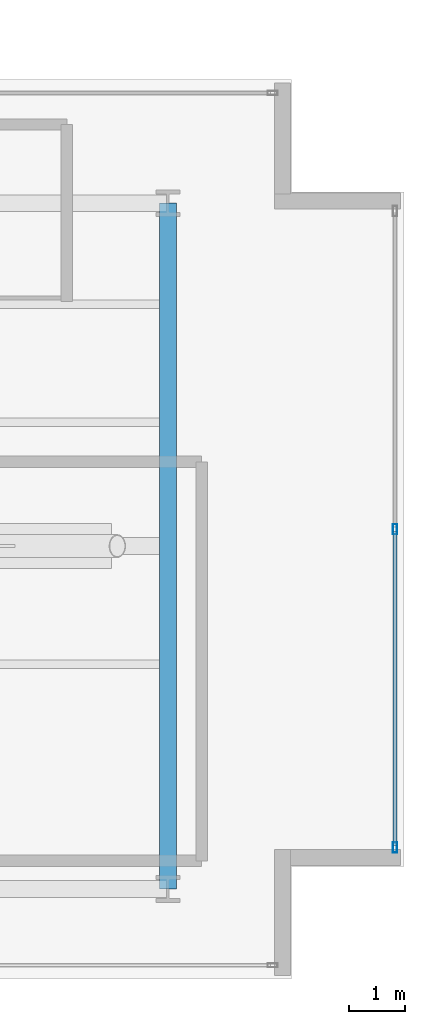
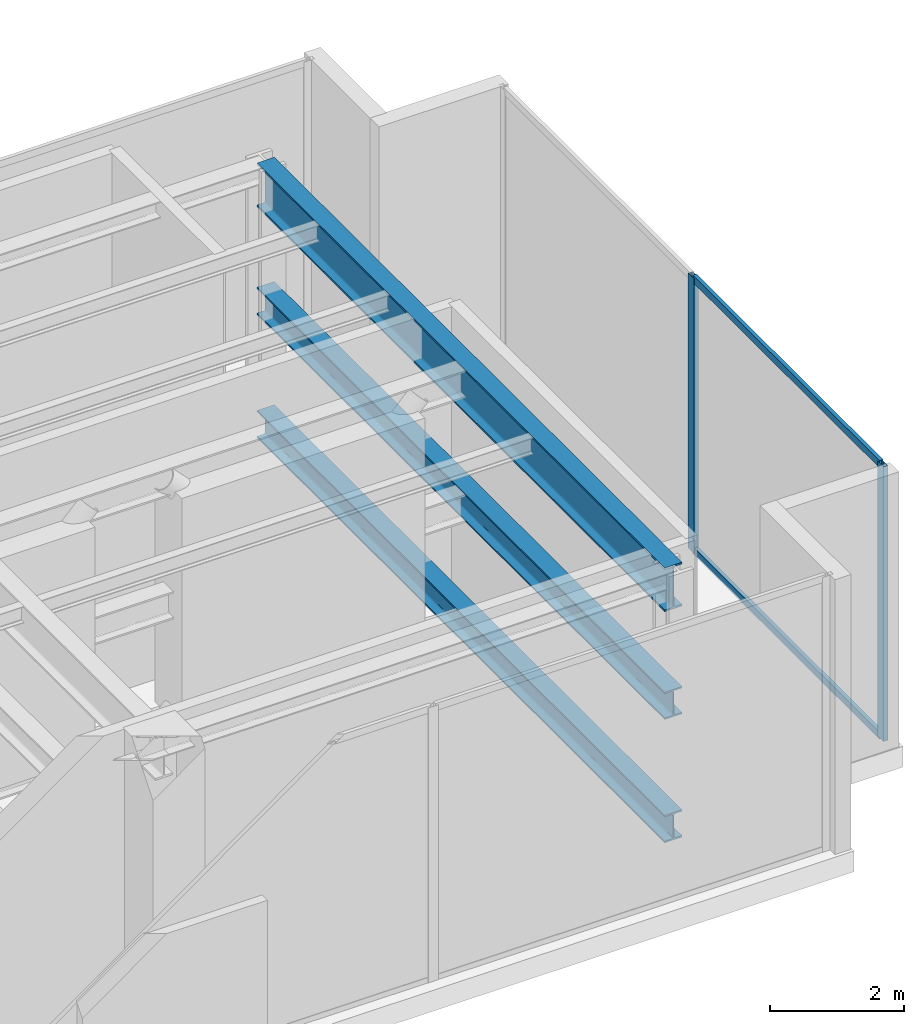
# One storey, part 17 of 29: 4 members, 3 beams, 1 element without a shape of its own.
"""IFC4 building model written with IfcOpenShell, lengths in metres."""

import ifcopenshell
import ifcopenshell.guid

model = None  # the IFC model being written
_history = None  # IfcOwnerHistory: only IFC2X3 demands one
_inside = {}  # id of a spatial element -> (the spatial element, [elements in it])
_under = {}  # id of a project, library or spatial element -> (it, [spatial elements below it])
_declared = {}  # id of a project -> (the project, [libraries it declares])
_typed = {}  # id of a type object -> (the type object, [elements of that type])
_made_of = {}  # id of a material, layer set ... -> (it, [elements and type objects made of it])


def new_model(schema):
    """Start an empty IFC model of exactly this schema.

    Asked for "IFC4X3", IfcOpenShell would pick the latest addendum, in which some entities
    have other attributes; the version numbers below select the first issue.
    IFC2X3 requires an IfcOwnerHistory on every rooted entity: one is made here for all.
    """
    global model, _history
    if schema == "IFC4X3":
        model = ifcopenshell.file(schema_version=(4, 3, 0, 0))
    else:
        model = ifcopenshell.file(schema=schema)
    _inside.clear()
    _under.clear()
    _declared.clear()
    _typed.clear()
    _made_of.clear()
    _history = None
    if model.schema == "IFC2X3":
        org = make("IfcOrganization", Name="unknown")
        user = make(
            "IfcPersonAndOrganization",
            ThePerson=make("IfcPerson", FamilyName="unknown"),
            TheOrganization=org,
        )
        app = make(
            "IfcApplication",
            ApplicationDeveloper=org,
            Version="unknown",
            ApplicationFullName="unknown",
            ApplicationIdentifier="unknown",
        )
        _history = make(
            "IfcOwnerHistory",
            OwningUser=user,
            OwningApplication=app,
            ChangeAction="ADDED",
            CreationDate=0,
        )
    return model


def make(cls, **values):
    """One entity of the class cls with the attributes given. An attribute that is None is left unset."""
    return model.create_entity(
        cls, **{name: value for name, value in values.items() if value is not None}
    )


def rooted(cls, **values):
    """An entity with a GlobalId (a new one), such as an element, a storey or a relation."""
    return make(cls, GlobalId=ifcopenshell.guid.new(), OwnerHistory=_history, **values)


def si_unit(unit_type, name, prefix=None):
    """IfcSIUnit, for example si_unit("LENGTHUNIT", "METRE", prefix="MILLI")."""
    return make("IfcSIUnit", UnitType=unit_type, Prefix=prefix, Name=name)


def assignment(units):
    """IfcUnitAssignment: the units of a project."""
    return None if units is None else make("IfcUnitAssignment", Units=units)


def point(xyz):
    """IfcCartesianPoint."""
    return None if xyz is None else make("IfcCartesianPoint", Coordinates=xyz)


def direction(xyz):
    """IfcDirection."""
    return None if xyz is None else make("IfcDirection", DirectionRatios=xyz)


def frame(location, z_axis=None, x_axis=None):
    """IfcAxis2Placement3D, a coordinate frame: its origin and axes. An axis left out is left unset."""
    return make(
        "IfcAxis2Placement3D",
        Location=point(location),
        Axis=direction(z_axis),
        RefDirection=direction(x_axis),
    )


def frame_2d(location, x_axis=None):
    """IfcAxis2Placement2D, a coordinate frame in the plane: its origin and x axis."""
    return make(
        "IfcAxis2Placement2D", Location=point(location), RefDirection=direction(x_axis)
    )


def origin():
    """The frame at (0, 0, 0) with its axes left unset."""
    return frame((0.0, 0.0, 0.0))


def origin_with_axes():
    """The frame at (0, 0, 0) with the z axis (0, 0, 1) and the x axis (1, 0, 0) written out."""
    return frame((0.0, 0.0, 0.0), z_axis=(0.0, 0.0, 1.0), x_axis=(1.0, 0.0, 0.0))


def origin_2d():
    """The frame at (0, 0) in the plane with its x axis left unset."""
    return frame_2d((0.0, 0.0))


def place(relative_to, where):
    """IfcLocalPlacement: puts the frame where relative to a parent placement (None: the world)."""
    return make(
        "IfcLocalPlacement", PlacementRelTo=relative_to, RelativePlacement=where
    )


def context(
    kind, dimensions, precision=None, world=None, true_north=None, identifier=None
):
    """IfcGeometricRepresentationContext, for example the 3D "Model" context."""
    return make(
        "IfcGeometricRepresentationContext",
        ContextIdentifier=identifier,
        ContextType=kind,
        CoordinateSpaceDimension=dimensions,
        Precision=precision,
        WorldCoordinateSystem=world,
        TrueNorth=true_north,
    )


def subcontext(parent, identifier, kind, view, scale=None):
    """IfcGeometricRepresentationSubContext, for example "Body" below "Model"."""
    return make(
        "IfcGeometricRepresentationSubContext",
        ContextIdentifier=identifier,
        ContextType=kind,
        ParentContext=parent,
        TargetScale=scale,
        TargetView=view,
    )


def project(units=None, contexts=None):
    """IfcProject with its units and contexts."""
    return rooted(
        "IfcProject",
        Name="project",
        RepresentationContexts=contexts,
        UnitsInContext=assignment(units),
    )


def spatial(cls, under=None, at=None, **own):
    """A site, building, storey or space (cls), placed at a placement, below another one or the project."""
    s = rooted(cls, ObjectPlacement=at, **own)
    if under is not None:
        _under.setdefault(under.id(), (under, []))[1].append(s)
    return s


def profile(cls, at=None, kind="AREA", **sizes):
    """A parametric profile (cls). Its sizes go by their IFC names, for example OverallWidth=200.0."""
    return make(cls, ProfileType=kind, Position=at, **sizes)


def hollow_rectangle(**sizes):
    """IfcRectangleHollowProfileDef."""
    return profile("IfcRectangleHollowProfileDef", **sizes)


def i_section(**sizes):
    """IfcIShapeProfileDef."""
    return profile("IfcIShapeProfileDef", **sizes)


def extrude(swept, where, along, depth):
    """IfcExtrudedAreaSolid: the profile swept, set in the frame where, extruded along a direction by depth."""
    return make(
        "IfcExtrudedAreaSolid",
        SweptArea=swept,
        Position=where,
        ExtrudedDirection=direction(along),
        Depth=depth,
    )


def shape(context_of_items, identifier, shape_type, items):
    """IfcShapeRepresentation: the items that make up one representation, for example the "Body"."""
    return make(
        "IfcShapeRepresentation",
        ContextOfItems=context_of_items,
        RepresentationIdentifier=identifier,
        RepresentationType=shape_type,
        Items=items,
    )


def source(mapping_origin, context_of_items, identifier, shape_type, items):
    """IfcRepresentationMap: a shape defined once, which mapped items show again and again."""
    return make(
        "IfcRepresentationMap",
        MappingOrigin=mapping_origin,
        MappedRepresentation=shape(context_of_items, identifier, shape_type, items),
    )


def transform(
    local_origin,
    x_axis=None,
    y_axis=None,
    z_axis=None,
    scale=None,
    scale2=None,
    scale3=None,
    uniform=True,
):
    """IfcCartesianTransformationOperator3D, or its non-uniform kind. x_axis, y_axis, z_axis: its Axis1, 2, 3."""
    if uniform:
        return make(
            "IfcCartesianTransformationOperator3D",
            Axis1=direction(x_axis),
            Axis2=direction(y_axis),
            LocalOrigin=point(local_origin),
            Scale=scale,
            Axis3=direction(z_axis),
        )
    return make(
        "IfcCartesianTransformationOperator3DnonUniform",
        Axis1=direction(x_axis),
        Axis2=direction(y_axis),
        LocalOrigin=point(local_origin),
        Scale=scale,
        Axis3=direction(z_axis),
        Scale2=scale2,
        Scale3=scale3,
    )


def mapped(mapping_source, mapping_target):
    """IfcMappedItem: shows the shape of a source again, moved by a transform."""
    return make(
        "IfcMappedItem", MappingSource=mapping_source, MappingTarget=mapping_target
    )


def material(Name=None, Category=None):
    """IfcMaterial."""
    return make("IfcMaterial", Name=Name, Category=Category)


def layer(
    of_material, thickness, ventilated=None, Name=None, Category=None, Priority=None
):
    """IfcMaterialLayer: one layer of a wall or slab, of a material (None: an air gap)."""
    return make(
        "IfcMaterialLayer",
        Material=of_material,
        LayerThickness=thickness,
        IsVentilated=ventilated,
        Name=Name,
        Category=Category,
        Priority=Priority,
    )


def layer_set(layers, Name=None):
    """IfcMaterialLayerSet."""
    return make("IfcMaterialLayerSet", MaterialLayers=layers, LayerSetName=Name)


def material_profile(
    of_material, cross_section, Name=None, Category=None, Priority=None
):
    """IfcMaterialProfile: a cross section and its material."""
    return make(
        "IfcMaterialProfile",
        Name=Name,
        Material=of_material,
        Profile=cross_section,
        Priority=Priority,
        Category=Category,
    )


def profile_set(profiles, Name=None, composite=None):
    """IfcMaterialProfileSet."""
    return make(
        "IfcMaterialProfileSet",
        Name=Name,
        MaterialProfiles=profiles,
        CompositeProfile=composite,
    )


def made_of(thing, what):
    """Note that an element or type object is made of a material, layer set ...; save() writes the relation."""
    if what is not None:
        _made_of.setdefault(what.id(), (what, []))[1].append(thing)
    return thing


def type_object(cls, material=None, **own):
    """A type object (cls), such as IfcWallType, which elements share."""
    return made_of(rooted(cls, **own), material)


def element(
    cls,
    number,
    at=None,
    inside=None,
    cuts=None,
    type_object=None,
    material=None,
    context=None,
    identifier="Body",
    shape_type=None,
    held_by="IfcProductDefinitionShape",
    body=None,
    shapes=None,
    **own,
):
    """One element of the class cls, such as IfcWall. Its Tag is "e" and its number.

    at: its placement. inside: the storey or other place that contains it. cuts: it is an
    opening in that element (IfcRelVoidsElement). A single representation is given by context,
    identifier, shape_type and body (its items); several are given by shapes. held_by: the class
    of the entity that holds the representations. save() writes the other relations.
    """
    e = rooted(cls, Tag="e%d" % number, ObjectPlacement=at, **own)
    if body is not None:
        shapes = [shape(context, identifier, shape_type, body)]
    if shapes is not None:
        e.Representation = make(held_by, Representations=shapes)
    if inside is not None:
        _inside.setdefault(inside.id(), (inside, []))[1].append(e)
    if cuts is not None:
        rooted(
            "IfcRelVoidsElement", RelatingBuildingElement=cuts, RelatedOpeningElement=e
        )
    if type_object is not None:
        _typed.setdefault(type_object.id(), (type_object, []))[1].append(e)
    return made_of(e, material)


def aggregate(whole, parts):
    """IfcRelAggregates: a whole, such as a stair, and the parts it consists of."""
    return rooted("IfcRelAggregates", RelatingObject=whole, RelatedObjects=parts)


def save(model, path):
    """Write the relations noted so far, then the file.

    IfcRelAggregates (storeys below a building ...), IfcRelContainedInSpatialStructure (elements
    in a storey), IfcRelDefinesByType, IfcRelAssociatesMaterial and IfcRelDeclares: one each for
    every whole, place, type object, material and project.
    """
    for whole, parts in _under.values():
        aggregate(whole, parts)
    for where, things in _inside.values():
        rooted(
            "IfcRelContainedInSpatialStructure",
            RelatedElements=things,
            RelatingStructure=where,
        )
    for kind, things in _typed.values():
        rooted("IfcRelDefinesByType", RelatedObjects=things, RelatingType=kind)
    for what, things in _made_of.values():
        rooted("IfcRelAssociatesMaterial", RelatedObjects=things, RelatingMaterial=what)
    for by, libraries in _declared.values():
        rooted("IfcRelDeclares", RelatingContext=by, RelatedDefinitions=libraries)
    model.write(path)


model = new_model("IFC4")

# Units and contexts
model_context = context("Model", 3, precision=1e-05, world=origin(), true_north=direction((0.0, 1.0)))
body_context = subcontext(model_context, "Body", "Model", "MODEL_VIEW")
ifc_project = project(units=[si_unit("LENGTHUNIT", "METRE"), si_unit("AREAUNIT", "SQUARE_METRE"), si_unit("VOLUMEUNIT", "CUBIC_METRE"), si_unit("PLANEANGLEUNIT", "RADIAN"), si_unit("MASSUNIT", "GRAM", prefix="KILO")], contexts=[model_context])

# Site, building, storey
site_placement = place(None, origin())
site = spatial("IfcSite", under=ifc_project, at=site_placement, CompositionType="ELEMENT")
building_placement = place(site_placement, origin())
building = spatial("IfcBuilding", under=site, at=building_placement, Name="Kolvaren Waterfront Exchange", CompositionType="ELEMENT")
storey_placement = place(building_placement, frame((0.0, 0.0, 338.800048828125)))
storey = spatial("IfcBuildingStorey", under=building, at=storey_placement, Name="L87", CompositionType="ELEMENT", Elevation=338.800048828125)

# Beams
ifc_material_1 = material(Name="Steel S355", Category="steel")
ifc_material_profile_1 = material_profile(ifc_material_1, i_section(OverallWidth=0.300048828125, OverallDepth=0.5, WebThickness=0.014404296875, FlangeThickness=0.028076171875, FilletRadius=0.027099609375, at=origin_2d()), Name="HEB500")
ifc_profile_set_1 = profile_set([ifc_material_profile_1], Name="Steel S355")
beam_type_1 = type_object("IfcBeamType", Name="STR-BM-HEB500", PredefinedType="BEAM", material=ifc_profile_set_1)
for number, where, z_axis, x_axis, name in (
    (1, (45.60009765625, 5.199951171875, 0.25), (0.0, 1.0, 0.0), (-1.0, 0.0, 0.0), "L87 Venturi turbine portal sill cross-beam X45"),
    (2, (45.60009765625, 5.199951171875, 2.5), (0.0, 1.0, 0.0), (-1.0, 0.0, 0.0), "L87 Venturi turbine portal hub cross-beam X45"),
):
    element("IfcBeam", number, at=place(storey_placement, frame(where, z_axis=z_axis, x_axis=x_axis)), inside=storey, type_object=beam_type_1, Name=name, PredefinedType="BEAM", context=body_context, shape_type="SweptSolid", body=[
        extrude(i_section(OverallWidth=0.300048828125, OverallDepth=0.5, WebThickness=0.014404296875, FlangeThickness=0.028076171875, FilletRadius=0.027099609375, at=origin_2d()), origin(), (0.0, 0.0, 1.0), 12.199951171875),
    ])
ifc_material_profile_2 = material_profile(ifc_material_1, i_section(OverallWidth=0.300048828125, OverallDepth=0.800048828125, WebThickness=0.017578125, FlangeThickness=0.032958984375, FilletRadius=0.030029296875, at=origin_2d()), Name="HEB800")
ifc_profile_set_2 = profile_set([ifc_material_profile_2], Name="Steel S355")
beam_type_2 = type_object("IfcBeamType", Name="STR-BM-HEB800", PredefinedType="BEAM", material=ifc_profile_set_2)
beam_placement = place(storey_placement, frame((45.60009765625, 5.199951171875, 4.619873046875), z_axis=(0.0, 1.0, 0.0), x_axis=(-1.0, 0.0, 0.0)))
element("IfcBeam", 3, at=beam_placement, inside=storey, type_object=beam_type_2, Name="L87 east-arm transverse girder X45", PredefinedType="BEAM", context=body_context, shape_type="SweptSolid", body=[
    extrude(i_section(OverallWidth=0.300048828125, OverallDepth=0.800048828125, WebThickness=0.017578125, FlangeThickness=0.032958984375, FilletRadius=0.030029296875, at=origin_2d()), origin(), (0.0, 0.0, 1.0), 12.199951171875),
])

# Curtain wall, members
ifc_material_2 = material(Name="Anodised dark bronze spandrel aluminium", Category="aluminium")
ifc_layer = layer(ifc_material_2, 0.219970703125, Name="Anodised dark bronze spandrel aluminium")
ifc_layer_set = layer_set([ifc_layer], Name="Anodised dark bronze spandrel aluminium")
curtain_wall_type = type_object("IfcCurtainWallType", Name="ARC-CW-SYS6", PredefinedType="USERDEFINED", material=ifc_layer_set)
curtain_wall_placement = place(storey_placement, origin())
curtain_wall = element("IfcCurtainWall", 4, at=curtain_wall_placement, inside=storey, type_object=curtain_wall_type, Name="L87 stick curtain wall CW6 (CW-L87-ET)", ObjectType="STICK CURTAIN WALL", PredefinedType="USERDEFINED")
ifc_material_3 = material(Name="Anodised bronze aluminium 6063-T6", Category="aluminium")
ifc_material_profile_3 = material_profile(ifc_material_3, hollow_rectangle(XDim=0.074951171875, YDim=0.179931640625, WallThickness=0.00439453125, at=origin_2d()), Name="ALU-MUL-180x75x4.5")
ifc_profile_set_3 = profile_set([ifc_material_profile_3], Name="Anodised bronze aluminium 6063-T6")
member_type_1 = type_object("IfcMemberType", Name="ARC-CWM-180", PredefinedType="MULLION", material=ifc_profile_set_3)
shared_shape_1 = source(origin_with_axes(), body_context, "Body", "SweptSolid", [
    extrude(hollow_rectangle(XDim=0.074951171875, YDim=0.179931640625, WallThickness=0.00439453125, at=origin_2d()), origin(), (0.0, 0.0, 1.0), 5.02001953125),
])
member_1_placement = place(storey_placement, frame((49.639892578125, 5.9375, 0.0), z_axis=(0.0, 0.0, 1.0), x_axis=(-1.0, 0.0, 0.0)))
member_1 = element("IfcMember", 5, at=member_1_placement, type_object=member_type_1, Name="CW6 mullion 1", PredefinedType="MULLION", context=body_context, shape_type="MappedRepresentation", body=[
    mapped(shared_shape_1, transform((0.0, 0.0, 0.0), x_axis=(1.0, 0.0, 0.0), y_axis=(0.0, 1.0, 0.0), z_axis=(0.0, 0.0, 1.0), scale=1.0)),
])
member_2_placement = place(storey_placement, frame((49.639892578125, 11.60009765625, 0.0), z_axis=(0.0, 0.0, 1.0), x_axis=(-1.0, 0.0, 0.0)))
member_2 = element("IfcMember", 6, at=member_2_placement, type_object=member_type_1, Name="CW6 mullion 2", PredefinedType="MULLION", context=body_context, shape_type="MappedRepresentation", body=[
    mapped(shared_shape_1, transform((0.0, 0.0, 0.0), x_axis=(1.0, 0.0, 0.0), y_axis=(0.0, 1.0, 0.0), z_axis=(0.0, 0.0, 1.0), scale=1.0)),
])
ifc_material_profile_4 = material_profile(ifc_material_3, hollow_rectangle(XDim=0.06494140625, YDim=0.1298828125, WallThickness=0.00390625, at=origin_2d()), Name="ALU-TRN-130x65x4")
ifc_profile_set_4 = profile_set([ifc_material_profile_4], Name="Anodised bronze aluminium 6063-T6")
member_type_2 = type_object("IfcMemberType", Name="ARC-CWT-130", PredefinedType="USERDEFINED", material=ifc_profile_set_4)
shared_shape_2 = source(origin_with_axes(), body_context, "Body", "SweptSolid", [
    extrude(hollow_rectangle(XDim=0.06494140625, YDim=0.1298828125, WallThickness=0.00390625, at=origin_2d()), origin(), (0.0, 0.0, 1.0), 5.58740234375),
])
member_3_placement = place(storey_placement, frame((49.639892578125, 5.97509765625, 0.032470703125), z_axis=(0.0, 1.0, 0.0), x_axis=(-1.0, 0.0, 0.0)))
member_3 = element("IfcMember", 7, at=member_3_placement, type_object=member_type_2, Name="CW6 transom 1.1", ObjectType="TRANSOM", PredefinedType="USERDEFINED", context=body_context, shape_type="MappedRepresentation", body=[
    mapped(shared_shape_2, transform((0.0, 0.0, 0.0), x_axis=(1.0, 0.0, 0.0), y_axis=(0.0, 1.0, 0.0), z_axis=(0.0, 0.0, 1.0), scale=1.0)),
])
member_4_placement = place(storey_placement, frame((49.639892578125, 5.97509765625, 4.987548828125), z_axis=(0.0, 1.0, 0.0), x_axis=(-1.0, 0.0, 0.0)))
member_4 = element("IfcMember", 8, at=member_4_placement, type_object=member_type_2, Name="CW6 transom 1.2", ObjectType="TRANSOM", PredefinedType="USERDEFINED", context=body_context, shape_type="MappedRepresentation", body=[
    mapped(shared_shape_2, transform((0.0, 0.0, 0.0), x_axis=(1.0, 0.0, 0.0), y_axis=(0.0, 1.0, 0.0), z_axis=(0.0, 0.0, 1.0), scale=1.0)),
])
aggregate(curtain_wall, [member_1, member_2, member_3, member_4])

save(model, "model.ifc")
